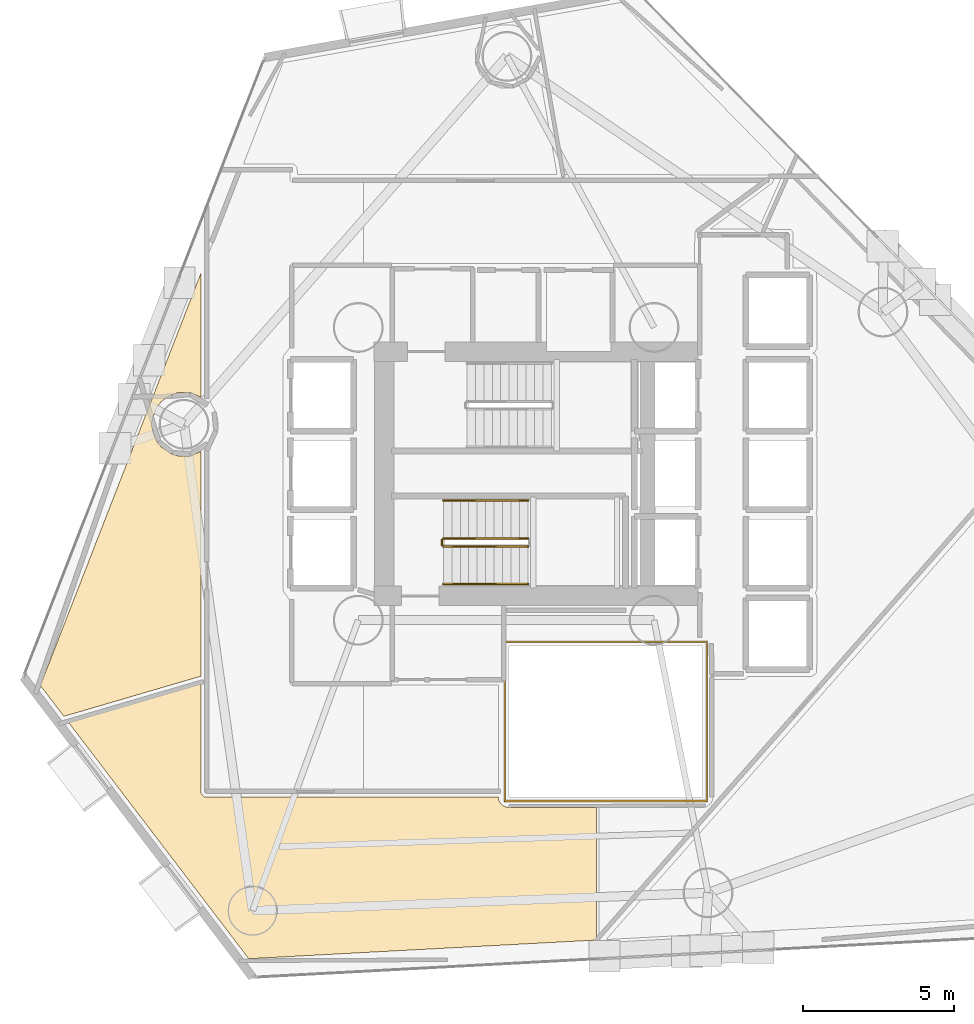
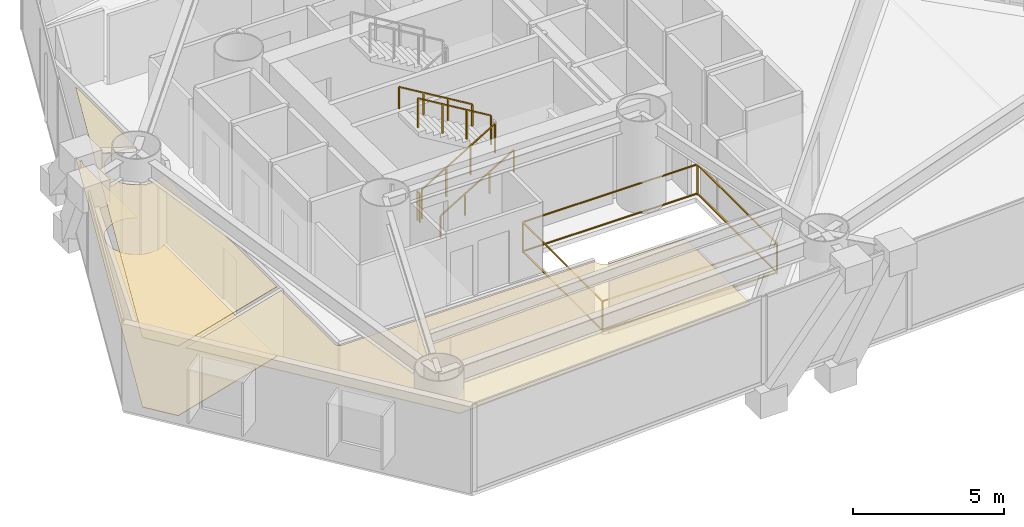
# One storey, part 19 of 23: 6 railings, 3 coverings.
"""IFC4 building model written with IfcOpenShell, lengths in metres."""

from ifc_helpers import new_model, si_unit, direction, frame, origin, origin_2d, place, context, subcontext, project, spatial, polyline, rectangle, outline, extrude, material, layer, layer_set, type_object, element, save


model = new_model("IFC4")

# Units and contexts
model_context = context("Model", 3, precision=1e-05, world=origin(), true_north=direction((0.0, 1.0)))
body_context = subcontext(model_context, "Body", "Model", "MODEL_VIEW")
ifc_project = project(units=[si_unit("LENGTHUNIT", "METRE"), si_unit("AREAUNIT", "SQUARE_METRE"), si_unit("VOLUMEUNIT", "CUBIC_METRE"), si_unit("PLANEANGLEUNIT", "RADIAN"), si_unit("MASSUNIT", "GRAM", prefix="KILO")], contexts=[model_context])

# Site, building, storey
site_placement = place(None, origin())
site = spatial("IfcSite", under=ifc_project, at=site_placement, CompositionType="ELEMENT")
building_placement = place(site_placement, origin())
building = spatial("IfcBuilding", under=site, at=building_placement, Name="Qianvela Tower", CompositionType="ELEMENT")
storey_placement = place(building_placement, frame((0.0, 0.0, 56.199951171875)))
storey = spatial("IfcBuildingStorey", under=building, at=storey_placement, Name="L13", CompositionType="ELEMENT", Elevation=56.199951171875)

# Coverings
ifc_material_1 = material(Name="Perforated Mineral Acoustic Ceiling Tile")
ifc_layer_1 = layer(ifc_material_1, 0.02490234375)
ifc_layer_set_1 = layer_set([ifc_layer_1], Name="Perforated Mineral Acoustic Ceiling Tile")
covering_type_1 = type_object("IfcCoveringType", Name="COV-CEIL-ACOUSTIC-25", PredefinedType="CEILING", material=ifc_layer_set_1)
covering_1_placement = place(storey_placement, frame((0.0, 0.0, 2.81494140625)))
element("IfcCovering", 1, at=covering_1_placement, inside=storey, type_object=covering_type_1, Name="L13 Acoustic Ceiling Bay 1 Student Reading Library L13-01A", PredefinedType="CEILING", context=body_context, shape_type="SweptSolid", body=[
    extrude(outline(polyline([(33.31689453125, 17.77783203125), (33.32177734375, 17.771484375), (33.326904296875, 17.765869140625), (33.332763671875, 17.760498046875), (33.417236328125, 17.691162109375), (33.42431640625, 17.68603515625), (33.431884765625, 17.681640625), (33.440185546875, 17.677978515625), (33.448486328125, 17.675537109375), (33.58056640625, 17.642333984375), (33.5869140625, 17.64111328125), (33.593505859375, 17.640380859375), (33.60009765625, 17.639892578125), (36.48974609375, 17.639892578125), (36.48974609375, 13.327880859375), (36.420166015625, 13.248779296875), (24.972900390625, 12.63427734375), (19.006103515625, 20.457275390625), (23.389892578125, 21.740966796875), (23.389892578125, 18.14990234375), (23.390380859375, 18.14208984375), (23.3916015625, 18.134521484375), (23.393310546875, 18.126708984375), (23.39599609375, 18.119384765625), (23.3994140625, 18.1123046875), (23.403564453125, 18.105712890625), (23.452880859375, 18.031494140625), (23.45751953125, 18.025390625), (23.462890625, 18.01953125), (23.468505859375, 18.014404296875), (23.474853515625, 18.009521484375), (23.481689453125, 18.005615234375), (23.48876953125, 18.002197265625), (23.49609375, 17.99951171875), (23.503662109375, 17.99755859375), (23.511474609375, 17.99658203125), (23.519287109375, 17.99609375), (33.24609375, 17.989990234375), (33.252197265625, 17.912353515625), (33.25341796875, 17.904296875), (33.25537109375, 17.896240234375), (33.258056640625, 17.888427734375), (33.261474609375, 17.881103515625), (33.31298828125, 17.78466796875), (33.31689453125, 17.77783203125)])), origin(), (0.0, 0.0, 1.0), 0.025146484375),
])
covering_2_placement = place(storey_placement, frame((0.0, 0.0, 2.81494140625)))
element("IfcCovering", 2, at=covering_2_placement, inside=storey, type_object=covering_type_1, Name="L13 Acoustic Ceiling Shared Communal Kitchen L13-04", PredefinedType="CEILING", context=body_context, shape_type="SweptSolid", body=[
    extrude(outline(polyline([(23.389892578125, 29.440185546875), (23.389892578125, 21.9951171875), (18.84765625, 20.6650390625), (18.06787109375, 21.6875), (23.389892578125, 35.352294921875), (23.390380859375, 31.23974609375), (23.0517578125, 31.3798828125), (23.04443359375, 31.382568359375), (23.036865234375, 31.384521484375), (23.029052734375, 31.3857421875), (23.021240234375, 31.385986328125), (22.63671875, 31.385986328125), (22.62890625, 31.3857421875), (22.62109375, 31.384521484375), (22.613525390625, 31.382568359375), (22.4287109375, 31.32666015625), (22.42138671875, 31.323974609375), (22.414306640625, 31.320556640625), (22.40771484375, 31.31640625), (22.088134765625, 31.10302734375), (22.081787109375, 31.098388671875), (22.075927734375, 31.093017578125), (22.07080078125, 31.08740234375), (21.9482421875, 30.93798828125), (21.943603515625, 30.931640625), (21.939453125, 30.9248046875), (21.93603515625, 30.91796875), (21.7890625, 30.562744140625), (21.786376953125, 30.555419921875), (21.784423828125, 30.5478515625), (21.783203125, 30.5400390625), (21.764404296875, 30.347900390625), (21.763916015625, 30.340087890625), (21.764404296875, 30.332275390625), (21.783203125, 30.139892578125), (21.784423828125, 30.132080078125), (21.786376953125, 30.12451171875), (21.7890625, 30.1171875), (21.93603515625, 29.76220703125), (21.939453125, 29.755126953125), (21.943603515625, 29.748291015625), (21.9482421875, 29.741943359375), (22.07080078125, 29.5927734375), (22.075927734375, 29.5869140625), (22.081787109375, 29.581787109375), (22.088134765625, 29.576904296875), (22.40771484375, 29.363525390625), (22.414306640625, 29.359375), (22.42138671875, 29.356201171875), (22.4287109375, 29.353515625), (22.613525390625, 29.29736328125), (22.62109375, 29.29541015625), (22.62890625, 29.294189453125), (22.63671875, 29.2939453125), (23.021240234375, 29.2939453125), (23.029052734375, 29.294189453125), (23.036865234375, 29.29541015625), (23.04443359375, 29.29736328125), (23.0517578125, 29.300048828125), (23.389892578125, 29.440185546875)])), origin(), (0.0, 0.0, 1.0), 0.025146484375),
])
ifc_material_2 = material(Name="Engineered Acoustic Oak Timber Flooring", Category="wood")
ifc_layer_2 = layer(ifc_material_2, 0.02001953125)
ifc_layer_set_2 = layer_set([ifc_layer_2], Name="Engineered Acoustic Oak Timber Flooring")
covering_type_2 = type_object("IfcCoveringType", Name="COV-FLOOR-OAK-20", PredefinedType="FLOORING", material=ifc_layer_set_2)
covering_3_placement = place(storey_placement, origin())
element("IfcCovering", 3, at=covering_3_placement, inside=storey, type_object=covering_type_2, Name="L13 Finish Flooring Shared Communal Kitchen L13-04", PredefinedType="FLOORING", context=body_context, shape_type="SweptSolid", body=[
    extrude(outline(polyline([(23.389892578125, 29.440185546875), (23.389892578125, 21.9951171875), (18.84765625, 20.6650390625), (18.06787109375, 21.6875), (23.389892578125, 35.352294921875), (23.390380859375, 31.23974609375), (23.0517578125, 31.3798828125), (23.04443359375, 31.382568359375), (23.036865234375, 31.384521484375), (23.029052734375, 31.3857421875), (23.021240234375, 31.385986328125), (22.63671875, 31.385986328125), (22.62890625, 31.3857421875), (22.62109375, 31.384521484375), (22.613525390625, 31.382568359375), (22.4287109375, 31.32666015625), (22.42138671875, 31.323974609375), (22.414306640625, 31.320556640625), (22.40771484375, 31.31640625), (22.088134765625, 31.10302734375), (22.081787109375, 31.098388671875), (22.075927734375, 31.093017578125), (22.07080078125, 31.08740234375), (21.9482421875, 30.93798828125), (21.943603515625, 30.931640625), (21.939453125, 30.9248046875), (21.93603515625, 30.91796875), (21.7890625, 30.562744140625), (21.786376953125, 30.555419921875), (21.784423828125, 30.5478515625), (21.783203125, 30.5400390625), (21.764404296875, 30.347900390625), (21.763916015625, 30.340087890625), (21.764404296875, 30.332275390625), (21.783203125, 30.139892578125), (21.784423828125, 30.132080078125), (21.786376953125, 30.12451171875), (21.7890625, 30.1171875), (21.93603515625, 29.76220703125), (21.939453125, 29.755126953125), (21.943603515625, 29.748291015625), (21.9482421875, 29.741943359375), (22.07080078125, 29.5927734375), (22.075927734375, 29.5869140625), (22.081787109375, 29.581787109375), (22.088134765625, 29.576904296875), (22.40771484375, 29.363525390625), (22.414306640625, 29.359375), (22.42138671875, 29.356201171875), (22.4287109375, 29.353515625), (22.613525390625, 29.29736328125), (22.62109375, 29.29541015625), (22.62890625, 29.294189453125), (22.63671875, 29.2939453125), (23.021240234375, 29.2939453125), (23.029052734375, 29.294189453125), (23.036865234375, 29.29541015625), (23.04443359375, 29.29736328125), (23.0517578125, 29.300048828125), (23.389892578125, 29.440185546875)])), origin(), (0.0, 0.0, 1.0), 0.02001953125),
])

# Railings
ifc_material_3 = material(Name="Laminated Safety Glass and Stainless Steel 316", Category="steel")
railing_type_1 = type_object("IfcRailingType", Name="RL-ATRIUM-GUARD-1250", PredefinedType="GUARDRAIL", material=ifc_material_3)
railing_1_placement = place(storey_placement, frame((33.4599609375, 17.860107421875, 0.0)))
element("IfcRailing", 4, at=railing_1_placement, inside=storey, type_object=railing_type_1, Name="L13 Atrium Edge Guardrail 1", PredefinedType="GUARDRAIL", context=body_context, shape_type="SweptSolid", body=[
    extrude(rectangle(XDim=0.050048828125, YDim=0.0400390625, at=origin_2d()), frame((0.0, 0.0, 1.22998046875), z_axis=(0.0, 1.0, 0.0), x_axis=(-1.0, 0.0, 0.0)), (0.0, 0.0, 1.0), 5.27978515625),
    extrude(rectangle(XDim=0.050048828125, YDim=0.0400390625, at=origin_2d()), frame((0.0, 0.0, 0.050048828125), z_axis=(0.0, 1.0, 0.0), x_axis=(-1.0, 0.0, 0.0)), (0.0, 0.0, 1.0), 5.27978515625),
    extrude(rectangle(XDim=0.050048828125, YDim=0.0400390625, at=origin_2d()), frame((0.0, 5.27978515625, 1.22998046875), z_axis=(1.0, 0.0, 0.0), x_axis=(0.0, 1.0, 0.0)), (0.0, 0.0, 1.0), 6.679931640625),
    extrude(rectangle(XDim=0.050048828125, YDim=0.0400390625, at=origin_2d()), frame((0.0, 5.27978515625, 0.050048828125), z_axis=(1.0, 0.0, 0.0), x_axis=(0.0, 1.0, 0.0)), (0.0, 0.0, 1.0), 6.679931640625),
    extrude(rectangle(XDim=0.050048828125, YDim=0.0400390625, at=origin_2d()), frame((6.679931640625, 5.27978515625, 1.22998046875), z_axis=(0.0, -1.0, 0.0), x_axis=(1.0, 0.0, 0.0)), (0.0, 0.0, 1.0), 5.27978515625),
    extrude(rectangle(XDim=0.050048828125, YDim=0.0400390625, at=origin_2d()), frame((6.679931640625, 5.27978515625, 0.050048828125), z_axis=(0.0, -1.0, 0.0), x_axis=(1.0, 0.0, 0.0)), (0.0, 0.0, 1.0), 5.27978515625),
    extrude(rectangle(XDim=0.050048828125, YDim=0.0400390625, at=origin_2d()), frame((6.679931640625, 0.0, 1.22998046875), z_axis=(-1.0, 0.0, 0.0), x_axis=(0.0, -1.0, 0.0)), (0.0, 0.0, 1.0), 6.679931640625),
    extrude(rectangle(XDim=0.050048828125, YDim=0.0400390625, at=origin_2d()), frame((6.679931640625, 0.0, 0.050048828125), z_axis=(-1.0, 0.0, 0.0), x_axis=(0.0, -1.0, 0.0)), (0.0, 0.0, 1.0), 6.679931640625),
    extrude(rectangle(XDim=0.050048828125, YDim=0.050048828125, at=origin_2d()), origin(), (0.0, 0.0, 1.0), 1.2099609375),
    extrude(rectangle(XDim=0.050048828125, YDim=0.050048828125, at=origin_2d()), frame((0.0, 5.27978515625, 0.0)), (0.0, 0.0, 1.0), 1.2099609375),
    extrude(rectangle(XDim=0.050048828125, YDim=0.050048828125, at=origin_2d()), frame((6.679931640625, 5.27978515625, 0.0)), (0.0, 0.0, 1.0), 1.2099609375),
    extrude(rectangle(XDim=0.050048828125, YDim=0.050048828125, at=origin_2d()), frame((6.679931640625, 0.0, 0.0)), (0.0, 0.0, 1.0), 1.2099609375),
])
ifc_material_4 = material(Name="Painted Tubular Steel Q355B", Category="steel")
railing_type_2 = type_object("IfcRailingType", Name="RL-STAIR-GUARD-1200", PredefinedType="GUARDRAIL", material=ifc_material_4)
railing_2_placement = place(storey_placement, frame((31.419921875, 26.300048828125, 0.168212890625)))
element("IfcRailing", 5, at=railing_2_placement, inside=storey, type_object=railing_type_2, Name="L13 ST-2 stair guard 1", PredefinedType="GUARDRAIL", context=body_context, shape_type="SweptSolid", body=[
    extrude(rectangle(XDim=0.050048828125, YDim=0.0400390625, at=origin_2d()), frame((0.0, 0.0, 1.179931640625), z_axis=(0.857242210791, 0.0, 0.514913383045), x_axis=(0.0, 1.0, 0.0)), (0.0, 0.0, 1.0), 3.266357421875),
    extrude(rectangle(XDim=0.050048828125, YDim=0.050048828125, at=origin_2d()), origin(), (0.0, 0.0, 1.0), 1.159912109375),
    extrude(rectangle(XDim=0.050048828125, YDim=0.050048828125, at=origin_2d()), frame((0.933349609375, 0.0, 0.560546875)), (0.0, 0.0, 1.0), 1.159912109375),
    extrude(rectangle(XDim=0.050048828125, YDim=0.050048828125, at=origin_2d()), frame((1.86669921875, 0.0, 1.121337890625)), (0.0, 0.0, 1.0), 1.159912109375),
    extrude(rectangle(XDim=0.050048828125, YDim=0.050048828125, at=origin_2d()), frame((2.800048828125, 0.0, 1.681884765625)), (0.0, 0.0, 1.0), 1.159912109375),
])
railing_3_placement = place(storey_placement, frame((34.219970703125, 26.56005859375, 2.018310546875)))
element("IfcRailing", 6, at=railing_3_placement, inside=storey, type_object=railing_type_2, Name="L13 ST-2 stair guard 3", PredefinedType="GUARDRAIL", context=body_context, shape_type="SweptSolid", body=[
    extrude(rectangle(XDim=0.050048828125, YDim=0.0400390625, at=origin_2d()), frame((0.0, 0.0, 1.179931640625), z_axis=(-0.857275202839, 0.0, 0.514858452973), x_axis=(0.0, -1.0, 0.0)), (0.0, 0.0, 1.0), 3.26611328125),
    extrude(rectangle(XDim=0.050048828125, YDim=0.050048828125, at=origin_2d()), origin(), (0.0, 0.0, 1.0), 1.159912109375),
    extrude(rectangle(XDim=0.050048828125, YDim=0.050048828125, at=origin_2d()), frame((-0.933349609375, 0.0, 0.560546875)), (0.0, 0.0, 1.0), 1.159912109375),
    extrude(rectangle(XDim=0.050048828125, YDim=0.050048828125, at=origin_2d()), frame((-1.86669921875, 0.0, 1.12109375)), (0.0, 0.0, 1.0), 1.159912109375),
    extrude(rectangle(XDim=0.050048828125, YDim=0.050048828125, at=origin_2d()), frame((-2.800048828125, 0.0, 1.681640625)), (0.0, 0.0, 1.0), 1.159912109375),
])
railing_4_placement = place(storey_placement, frame((31.3701171875, 26.35009765625, 0.0)))
element("IfcRailing", 7, at=railing_4_placement, inside=storey, type_object=railing_type_2, Name="L13 ST-2 stair guard 4", PredefinedType="GUARDRAIL", context=body_context, shape_type="SweptSolid", body=[
    extrude(rectangle(XDim=0.050048828125, YDim=0.0400390625, at=origin_2d()), frame((0.0, 0.0, 1.179931640625), z_axis=(0.0, 1.0, 0.0), x_axis=(-1.0, 0.0, 0.0)), (0.0, 0.0, 1.0), 0.159912109375),
    extrude(rectangle(XDim=0.050048828125, YDim=0.050048828125, at=origin_2d()), origin(), (0.0, 0.0, 1.0), 1.159912109375),
    extrude(rectangle(XDim=0.050048828125, YDim=0.050048828125, at=origin_2d()), frame((0.0, 0.159912109375, 0.0)), (0.0, 0.0, 1.0), 1.159912109375),
])
ifc_material_5 = material(Name="Brushed Stainless Steel 304", Category="steel")
railing_type_3 = type_object("IfcRailingType", Name="RL-STAIR-HANDRAIL-900", PredefinedType="HANDRAIL", material=ifc_material_5)
railing_5_placement = place(storey_placement, frame((31.419921875, 25.050048828125, 0.168212890625)))
element("IfcRailing", 8, at=railing_5_placement, inside=storey, type_object=railing_type_3, Name="L13 ST-2 stair handrail 1", PredefinedType="HANDRAIL", context=body_context, shape_type="SweptSolid", body=[
    extrude(rectangle(XDim=0.050048828125, YDim=0.0400390625, at=origin_2d()), frame((0.0, 0.0, 0.8798828125), z_axis=(0.857242210791, 0.0, 0.514913383045), x_axis=(0.0, 1.0, 0.0)), (0.0, 0.0, 1.0), 3.266357421875),
    extrude(rectangle(XDim=0.050048828125, YDim=0.050048828125, at=origin_2d()), origin(), (0.0, 0.0, 1.0), 0.85986328125),
    extrude(rectangle(XDim=0.050048828125, YDim=0.050048828125, at=origin_2d()), frame((0.933349609375, 0.0, 0.560546875)), (0.0, 0.0, 1.0), 0.85986328125),
    extrude(rectangle(XDim=0.050048828125, YDim=0.050048828125, at=origin_2d()), frame((1.86669921875, 0.0, 1.121337890625)), (0.0, 0.0, 1.0), 0.85986328125),
    extrude(rectangle(XDim=0.050048828125, YDim=0.050048828125, at=origin_2d()), frame((2.800048828125, 0.0, 1.681884765625)), (0.0, 0.0, 1.0), 0.85986328125),
])
railing_6_placement = place(storey_placement, frame((34.219970703125, 27.81005859375, 2.018310546875)))
element("IfcRailing", 9, at=railing_6_placement, inside=storey, type_object=railing_type_3, Name="L13 ST-2 stair handrail 2", PredefinedType="HANDRAIL", context=body_context, shape_type="SweptSolid", body=[
    extrude(rectangle(XDim=0.050048828125, YDim=0.0400390625, at=origin_2d()), frame((0.0, 0.0, 0.8798828125), z_axis=(-0.857275202839, 0.0, 0.514858452973), x_axis=(0.0, -1.0, 0.0)), (0.0, 0.0, 1.0), 3.26611328125),
    extrude(rectangle(XDim=0.050048828125, YDim=0.050048828125, at=origin_2d()), origin(), (0.0, 0.0, 1.0), 0.85986328125),
    extrude(rectangle(XDim=0.050048828125, YDim=0.050048828125, at=origin_2d()), frame((-0.933349609375, 0.0, 0.560546875)), (0.0, 0.0, 1.0), 0.85986328125),
    extrude(rectangle(XDim=0.050048828125, YDim=0.050048828125, at=origin_2d()), frame((-1.86669921875, 0.0, 1.12109375)), (0.0, 0.0, 1.0), 0.85986328125),
    extrude(rectangle(XDim=0.050048828125, YDim=0.050048828125, at=origin_2d()), frame((-2.800048828125, 0.0, 1.681640625)), (0.0, 0.0, 1.0), 0.85986328125),
])

save(model, "model.ifc")
